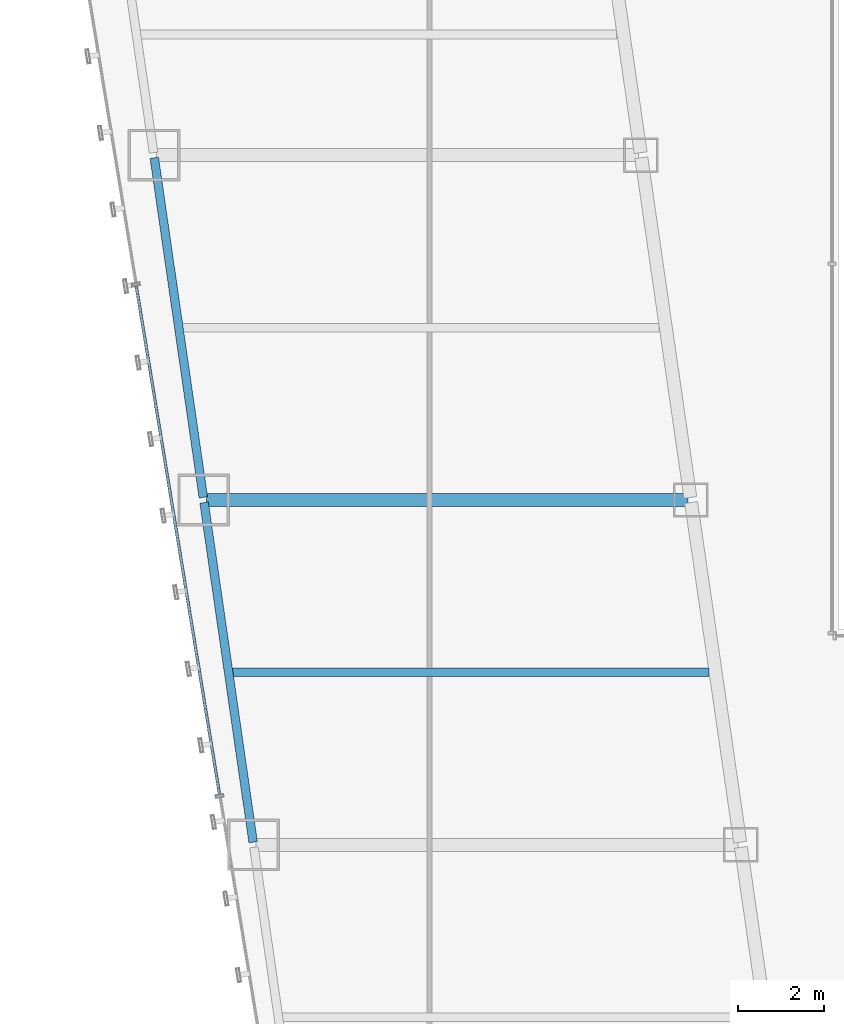
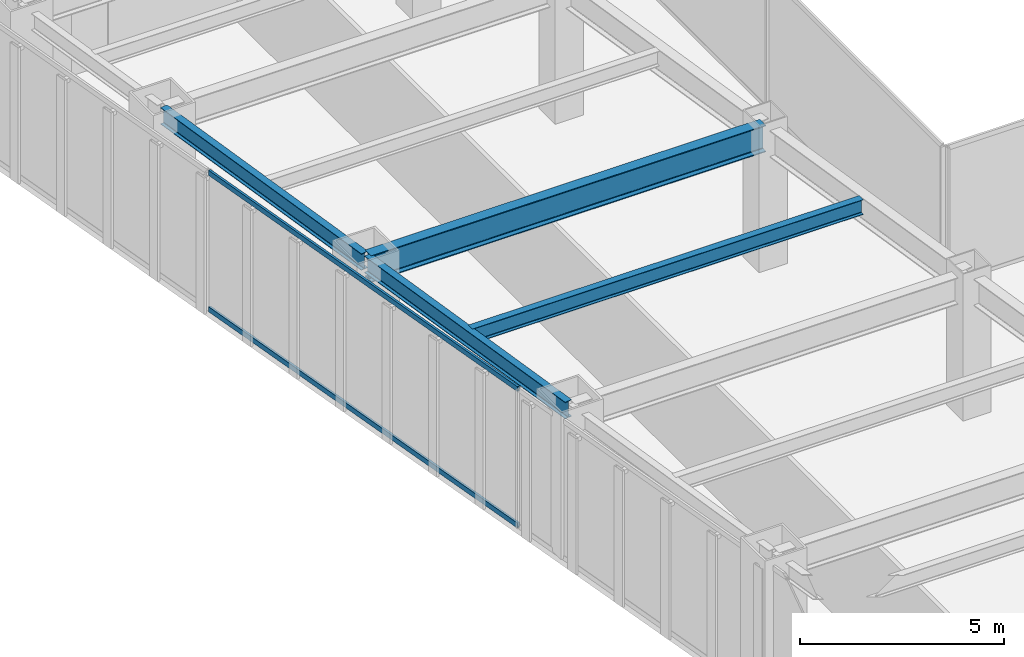
# One storey, part 10 of 47: 4 beams, 2 members, 1 element without a shape of its own.
"""IFC4 building model written with IfcOpenShell, lengths in metres."""

from ifc_helpers import new_model, si_unit, direction, frame, origin, origin_2d, place, context, subcontext, project, spatial, hollow_rectangle, i_section, extrude, material, material_profile, profile_set, type_object, element, aggregate, save


model = new_model("IFC4")

# Units and contexts
model_context = context("Model", 3, precision=1e-05, world=origin(), true_north=direction((0.0, 1.0)))
body_context = subcontext(model_context, "Body", "Model", "MODEL_VIEW")
ifc_project = project(units=[si_unit("LENGTHUNIT", "METRE"), si_unit("AREAUNIT", "SQUARE_METRE"), si_unit("VOLUMEUNIT", "CUBIC_METRE"), si_unit("PLANEANGLEUNIT", "RADIAN"), si_unit("MASSUNIT", "GRAM", prefix="KILO")], contexts=[model_context])

# Site, building, storey
site_placement = place(None, origin())
site = spatial("IfcSite", under=ifc_project, at=site_placement, CompositionType="ELEMENT")
building_placement = place(site_placement, origin())
building = spatial("IfcBuilding", under=site, at=building_placement, Name="Saevonmaru Cultural Tower", CompositionType="ELEMENT")
storey_placement = place(building_placement, frame((0.0, 0.0, 56.0)))
storey = spatial("IfcBuildingStorey", under=building, at=storey_placement, Name="L11", CompositionType="ELEMENT", Elevation=56.0)

# Beams
ifc_material_1 = material(Name="Steel SM420", Category="steel")
ifc_material_profile_1 = material_profile(ifc_material_1, i_section(OverallWidth=0.300048828125, OverallDepth=0.800048828125, WebThickness=0.013916015625, FlangeThickness=0.02587890625, FilletRadius=0.028076171875, at=origin_2d()), Name="H-800x300x14x26")
ifc_profile_set_1 = profile_set([ifc_material_profile_1], Name="Steel SM420")
beam_type_1 = type_object("IfcBeamType", Name="BM-G-H800", PredefinedType="BEAM", material=ifc_profile_set_1)
beam_1_placement = place(storey_placement, frame((9.531982421875, 24.0, 3.75), z_axis=(1.0, 0.0, 0.0), x_axis=(0.0, 1.0, 0.0)))
element("IfcBeam", 1, at=beam_1_placement, inside=storey, type_object=beam_type_1, Name="L11 West Wing Transverse Girder 4", PredefinedType="BEAM", context=body_context, shape_type="SweptSolid", body=[
    extrude(i_section(OverallWidth=0.300048828125, OverallDepth=0.800048828125, WebThickness=0.013916015625, FlangeThickness=0.02587890625, FilletRadius=0.028076171875, at=origin_2d()), origin(), (0.0, 0.0, 1.0), 11.179931640625),
])
ifc_material_2 = material(Name="Steel SM355", Category="steel")
ifc_material_profile_2 = material_profile(ifc_material_2, i_section(OverallWidth=0.199951171875, OverallDepth=0.449951171875, WebThickness=0.009033203125, FlangeThickness=0.013916015625, FilletRadius=0.01806640625, at=origin_2d()), Name="H-450x200x9x14")
ifc_profile_set_2 = profile_set([ifc_material_profile_2], Name="Steel SM355")
beam_type_2 = type_object("IfcBeamType", Name="BM-J-H450", PredefinedType="JOIST", material=ifc_profile_set_2)
beam_2_placement = place(storey_placement, frame((10.110107421875, 20.0, 3.925048828125), z_axis=(1.0, 0.0, 0.0), x_axis=(0.0, 1.0, 0.0)))
element("IfcBeam", 2, at=beam_2_placement, inside=storey, type_object=beam_type_2, Name="L11 West Wing Floor Joist 3", PredefinedType="JOIST", context=body_context, shape_type="SweptSolid", body=[
    extrude(i_section(OverallWidth=0.199951171875, OverallDepth=0.449951171875, WebThickness=0.009033203125, FlangeThickness=0.013916015625, FilletRadius=0.01806640625, at=origin_2d()), origin(), (0.0, 0.0, 1.0), 11.081787109375),
])
ifc_material_profile_3 = material_profile(ifc_material_2, i_section(OverallWidth=0.199951171875, OverallDepth=0.5, WebThickness=0.010009765625, FlangeThickness=0.01611328125, FilletRadius=0.02001953125, at=origin_2d()), Name="H-500x200x10x16")
ifc_profile_set_3 = profile_set([ifc_material_profile_3], Name="Steel SM355")
beam_type_3 = type_object("IfcBeamType", Name="BM-SP-H500", PredefinedType="SPANDREL", material=ifc_profile_set_3)
for number, where, z_axis, x_axis, name in (
    (3, (10.619384765625, 16.059326171875, 3.89990234375), (-0.142992129437, 0.989723825579, 0.0), (-0.989723825579, -0.142992129437, 0.0), "L11 West Splayed Spandrel 3"),
    (4, (9.46337890625, 24.059326171875, 3.89990234375), (-0.142871999001, 0.989741174197, 0.0), (-0.989741174197, -0.142871999001, 0.0), "L11 West Splayed Spandrel 4"),
):
    element("IfcBeam", number, at=place(storey_placement, frame(where, z_axis=z_axis, x_axis=x_axis)), inside=storey, type_object=beam_type_3, Name=name, PredefinedType="SPANDREL", context=body_context, shape_type="SweptSolid", body=[
        extrude(i_section(OverallWidth=0.199951171875, OverallDepth=0.5, WebThickness=0.010009765625, FlangeThickness=0.01611328125, FilletRadius=0.02001953125, at=origin_2d()), origin(), (0.0, 0.0, 1.0), 7.963134765625),
    ])

# Curtain wall, members
ifc_material_3 = material(Name="Satin Bronze Anodised Aluminium", Category="aluminium")
curtain_wall_type = type_object("IfcCurtainWallType", Name="CW-TYP-A", PredefinedType="NOTDEFINED", material=ifc_material_3)
curtain_wall_placement = place(storey_placement, origin())
curtain_wall = element("IfcCurtainWall", 5, at=curtain_wall_placement, inside=storey, type_object=curtain_wall_type, Name="L11 Unitised Curtain Wall E12", PredefinedType="NOTDEFINED")
ifc_material_profile_4 = material_profile(ifc_material_3, hollow_rectangle(XDim=0.06494140625, YDim=0.14990234375, WallThickness=0.00390625, at=origin_2d()), Name="ALU-TRAN-150x65x4")
ifc_profile_set_4 = profile_set([ifc_material_profile_4], Name="Satin Bronze Anodised Aluminium")
member_type = type_object("IfcMemberType", Name="TR-CW-150x65", PredefinedType="USERDEFINED", material=ifc_profile_set_4)
member_1_placement = place(storey_placement, frame((7.9052734375, 28.968017578125, 0.032470703125), z_axis=(0.161701400727, -0.986839732177, 0.0), x_axis=(0.986839732177, 0.161701400727, 0.0)))
member_1 = element("IfcMember", 6, at=member_1_placement, type_object=member_type, Name="CW-TW-L11-E12 transom 3.1", ObjectType="TRANSOM", PredefinedType="USERDEFINED", context=body_context, shape_type="SweptSolid", body=[
    extrude(hollow_rectangle(XDim=0.06494140625, YDim=0.14990234375, WallThickness=0.00390625, at=origin_2d()), origin(), (0.0, 0.0, 1.0), 11.9638671875),
])
member_2_placement = place(storey_placement, frame((7.9052734375, 28.968017578125, 4.117431640625), z_axis=(0.161701400727, -0.986839732177, 0.0), x_axis=(0.986839732177, 0.161701400727, 0.0)))
member_2 = element("IfcMember", 7, at=member_2_placement, type_object=member_type, Name="CW-TW-L11-E12 transom 3.2", ObjectType="TRANSOM", PredefinedType="USERDEFINED", context=body_context, shape_type="SweptSolid", body=[
    extrude(hollow_rectangle(XDim=0.06494140625, YDim=0.14990234375, WallThickness=0.00390625, at=origin_2d()), origin(), (0.0, 0.0, 1.0), 11.9638671875),
])
aggregate(curtain_wall, [member_1, member_2])

save(model, "model.ifc")
